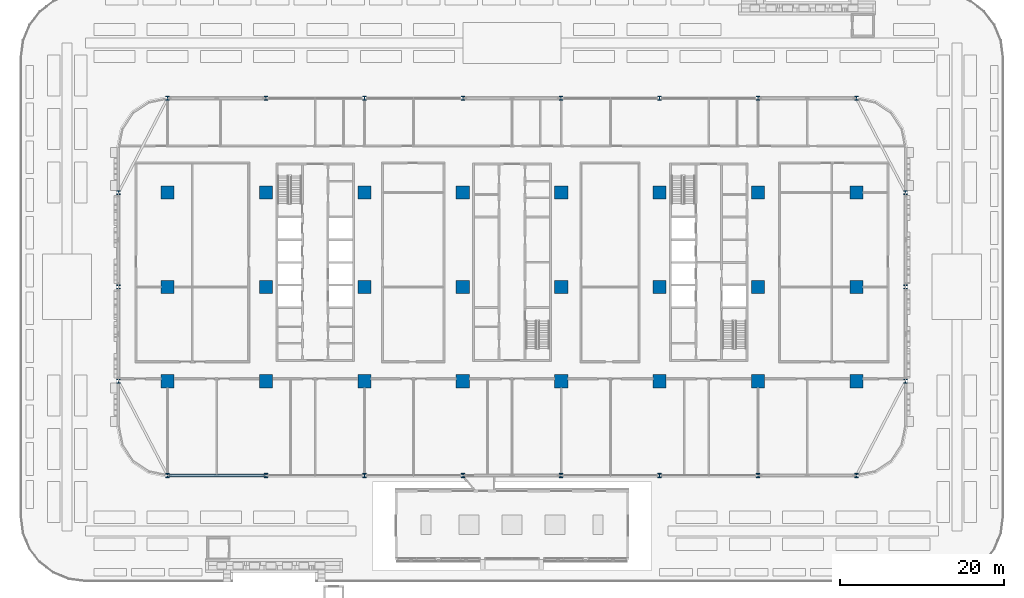
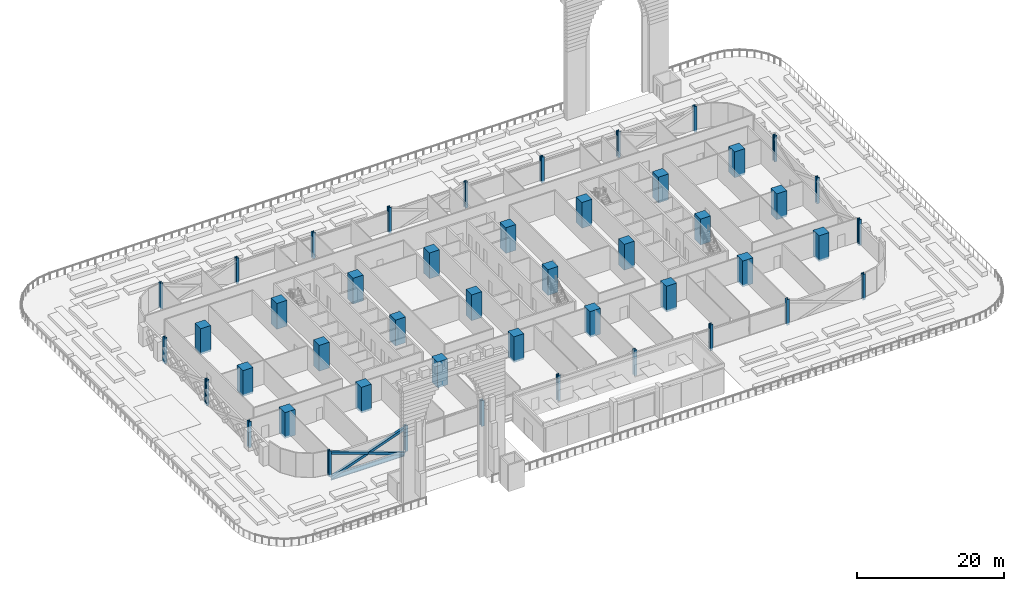
# One storey, part 1 of 39: 46 columns, 3 members, 1 beam.
"""IFC4 building model written with IfcOpenShell, lengths in metres."""

from ifc_helpers import new_model, si_unit, direction, frame, origin, origin_2d, place, context, subcontext, project, spatial, rectangle, hollow_rectangle, i_section, extrude, material, material_profile, profile_set, type_object, element, save


model = new_model("IFC4")

# Units and contexts
model_context = context("Model", 3, precision=1e-05, world=origin(), true_north=direction((0.0, 1.0)))
body_context = subcontext(model_context, "Body", "Model", "MODEL_VIEW")
ifc_project = project(units=[si_unit("LENGTHUNIT", "METRE"), si_unit("AREAUNIT", "SQUARE_METRE"), si_unit("VOLUMEUNIT", "CUBIC_METRE"), si_unit("PLANEANGLEUNIT", "RADIAN"), si_unit("MASSUNIT", "GRAM", prefix="KILO")], contexts=[model_context])

# Site, building, storey
site_placement = place(None, origin())
site = spatial("IfcSite", under=ifc_project, at=site_placement, CompositionType="ELEMENT")
building_placement = place(site_placement, origin())
building = spatial("IfcBuilding", under=site, at=building_placement, Name="Mahtab Terrace Research Tower", CompositionType="ELEMENT")
storey_placement = place(building_placement, frame((0.0, 0.0, 7.199951171875)))
storey = spatial("IfcBuildingStorey", under=building, at=storey_placement, Name="L01", CompositionType="ELEMENT", Elevation=7.199951171875)

# Columns
ifc_material_1 = material(Name="Concrete C70/85", Category="concrete")
ifc_material_profile_1 = material_profile(ifc_material_1, rectangle(XDim=1.60009765625, YDim=1.60009765625, at=origin_2d()), Name="RC column 1600x1600")
ifc_profile_set_1 = profile_set([ifc_material_profile_1], Name="Concrete C70/85")
column_type_1 = type_object("IfcColumnType", Name="RC column 1600x1600", PredefinedType="COLUMN", material=ifc_profile_set_1)
for number, where, z_axis, x_axis, name in (
    (1, (-42.0, -11.5, -0.33984375), (0.0, 0.0, 1.0), (1.0, 0.0, 0.0), "Column RC-1A L01"),
    (2, (-42.0, 0.0, -0.33984375), (0.0, 0.0, 1.0), (1.0, 0.0, 0.0), "Column RC-1B L01"),
    (3, (-42.0, 11.5, -0.33984375), (0.0, 0.0, 1.0), (1.0, 0.0, 0.0), "Column RC-1C L01"),
    (4, (-30.0, -11.5, -0.33984375), (0.0, 0.0, 1.0), (1.0, 0.0, 0.0), "Column RC-2A L01"),
    (5, (-30.0, 0.0, -0.33984375), (0.0, 0.0, 1.0), (1.0, 0.0, 0.0), "Column RC-2B L01"),
    (6, (-30.0, 11.5, -0.33984375), (0.0, 0.0, 1.0), (1.0, 0.0, 0.0), "Column RC-2C L01"),
    (7, (-18.0, -11.5, -0.33984375), (0.0, 0.0, 1.0), (1.0, 0.0, 0.0), "Column RC-3A L01"),
    (8, (-18.0, 0.0, -0.33984375), (0.0, 0.0, 1.0), (1.0, 0.0, 0.0), "Column RC-3B L01"),
    (9, (-18.0, 11.5, -0.33984375), (0.0, 0.0, 1.0), (1.0, 0.0, 0.0), "Column RC-3C L01"),
    (10, (-6.0, -11.5, -0.33984375), (0.0, 0.0, 1.0), (1.0, 0.0, 0.0), "Column RC-4A L01"),
    (11, (-6.0, 0.0, -0.33984375), (0.0, 0.0, 1.0), (1.0, 0.0, 0.0), "Column RC-4B L01"),
    (12, (-6.0, 11.5, -0.33984375), (0.0, 0.0, 1.0), (1.0, 0.0, 0.0), "Column RC-4C L01"),
    (13, (6.0, -11.5, -0.33984375), (0.0, 0.0, 1.0), (1.0, 0.0, 0.0), "Column RC-5A L01"),
    (14, (6.0, 0.0, -0.33984375), (0.0, 0.0, 1.0), (1.0, 0.0, 0.0), "Column RC-5B L01"),
    (15, (6.0, 11.5, -0.33984375), (0.0, 0.0, 1.0), (1.0, 0.0, 0.0), "Column RC-5C L01"),
    (16, (18.0, -11.5, -0.33984375), (0.0, 0.0, 1.0), (1.0, 0.0, 0.0), "Column RC-6A L01"),
    (17, (18.0, 0.0, -0.33984375), (0.0, 0.0, 1.0), (1.0, 0.0, 0.0), "Column RC-6B L01"),
    (18, (18.0, 11.5, -0.33984375), (0.0, 0.0, 1.0), (1.0, 0.0, 0.0), "Column RC-6C L01"),
    (19, (30.0, -11.5, -0.33984375), (0.0, 0.0, 1.0), (1.0, 0.0, 0.0), "Column RC-7A L01"),
    (20, (30.0, 0.0, -0.33984375), (0.0, 0.0, 1.0), (1.0, 0.0, 0.0), "Column RC-7B L01"),
    (21, (30.0, 11.5, -0.33984375), (0.0, 0.0, 1.0), (1.0, 0.0, 0.0), "Column RC-7C L01"),
    (22, (42.0, -11.5, -0.33984375), (0.0, 0.0, 1.0), (1.0, 0.0, 0.0), "Column RC-8A L01"),
    (23, (42.0, 0.0, -0.33984375), (0.0, 0.0, 1.0), (1.0, 0.0, 0.0), "Column RC-8B L01"),
    (24, (42.0, 11.5, -0.33984375), (0.0, 0.0, 1.0), (1.0, 0.0, 0.0), "Column RC-8C L01"),
):
    element("IfcColumn", number, at=place(storey_placement, frame(where, z_axis=z_axis, x_axis=x_axis)), inside=storey, type_object=column_type_1, Name=name, PredefinedType="COLUMN", context=body_context, shape_type="SweptSolid", body=[
        extrude(rectangle(XDim=1.60009765625, YDim=1.60009765625, at=origin_2d()), origin(), (0.0, 0.0, 1.0), 4.2998046875),
    ])
ifc_material_2 = material(Name="Steel ASTM A992 Gr 50", Category="steel")
ifc_material_profile_2 = material_profile(ifc_material_2, i_section(OverallWidth=0.431884765625, OverallDepth=0.497802734375, WebThickness=0.0556640625, FlangeThickness=0.0888671875, at=origin_2d()), Name="W14X500")
ifc_profile_set_2 = profile_set([ifc_material_profile_2], Name="Steel ASTM A992 Gr 50")
column_type_2 = type_object("IfcColumnType", Name="W14x500 column CS14500", PredefinedType="COLUMN", material=ifc_profile_set_2)
for number, where, z_axis, x_axis, name in (
    (25, (42.0, 23.0, -0.33984375), (0.0, 0.0, 1.0), (1.0, 0.0, 0.0), "Column SC-001 L01"),
    (26, (30.0, 23.0, -0.33984375), (0.0, 0.0, 1.0), (1.0, 0.0, 0.0), "Column SC-002 L01"),
    (27, (18.0, 23.0, -0.33984375), (0.0, 0.0, 1.0), (1.0, 0.0, 0.0), "Column SC-003 L01"),
    (28, (6.0, 23.0, -0.33984375), (0.0, 0.0, 1.0), (1.0, 0.0, 0.0), "Column SC-004 L01"),
    (29, (-6.0, 23.0, -0.33984375), (0.0, 0.0, 1.0), (1.0, 0.0, 0.0), "Column SC-005 L01"),
    (30, (-18.0, 23.0, -0.33984375), (0.0, 0.0, 1.0), (1.0, 0.0, 0.0), "Column SC-006 L01"),
    (31, (-30.0, 23.0, -0.33984375), (0.0, 0.0, 1.0), (1.0, 0.0, 0.0), "Column SC-007 L01"),
    (32, (-42.0, 23.0, -0.33984375), (0.0, 0.0, 1.0), (1.0, 0.0, 0.0), "Column SC-008 L01"),
    (33, (-48.0, 11.5, -0.33984375), (0.0, 0.0, 1.0), (1.0, 0.0, 0.0), "Column SC-009 L01"),
    (34, (-48.0, 0.0, -0.33984375), (0.0, 0.0, 1.0), (1.0, 0.0, 0.0), "Column SC-010 L01"),
    (35, (-48.0, -11.5, -0.33984375), (0.0, 0.0, 1.0), (1.0, 0.0, 0.0), "Column SC-011 L01"),
    (36, (-42.0, -23.0, -0.33984375), (0.0, 0.0, 1.0), (1.0, 0.0, 0.0), "Column SC-012 L01"),
    (37, (-30.0, -23.0, -0.33984375), (0.0, 0.0, 1.0), (1.0, 0.0, 0.0), "Column SC-013 L01"),
    (38, (-18.0, -23.0, -0.33984375), (0.0, 0.0, 1.0), (1.0, 0.0, 0.0), "Column SC-014 L01"),
    (39, (-6.0, -23.0, -0.33984375), (0.0, 0.0, 1.0), (1.0, 0.0, 0.0), "Column SC-015 L01"),
    (40, (6.0, -23.0, -0.33984375), (0.0, 0.0, 1.0), (1.0, 0.0, 0.0), "Column SC-016 L01"),
    (41, (18.0, -23.0, -0.33984375), (0.0, 0.0, 1.0), (1.0, 0.0, 0.0), "Column SC-017 L01"),
    (42, (30.0, -23.0, -0.33984375), (0.0, 0.0, 1.0), (1.0, 0.0, 0.0), "Column SC-018 L01"),
    (43, (42.0, -23.0, -0.33984375), (0.0, 0.0, 1.0), (1.0, 0.0, 0.0), "Column SC-019 L01"),
    (44, (48.0, -11.5, -0.33984375), (0.0, 0.0, 1.0), (1.0, 0.0, 0.0), "Column SC-020 L01"),
    (45, (48.0, 0.0, -0.33984375), (0.0, 0.0, 1.0), (1.0, 0.0, 0.0), "Column SC-021 L01"),
    (46, (48.0, 11.5, -0.33984375), (0.0, 0.0, 1.0), (1.0, 0.0, 0.0), "Column SC-022 L01"),
):
    element("IfcColumn", number, at=place(storey_placement, frame(where, z_axis=z_axis, x_axis=x_axis)), inside=storey, type_object=column_type_2, Name=name, PredefinedType="COLUMN", context=body_context, shape_type="SweptSolid", body=[
        extrude(i_section(OverallWidth=0.431884765625, OverallDepth=0.497802734375, WebThickness=0.0556640625, FlangeThickness=0.0888671875, at=origin_2d()), origin(), (0.0, 0.0, 1.0), 4.2998046875),
    ])

# Members
ifc_material_3 = material(Name="Steel ASTM A500 Gr C", Category="steel")
ifc_material_profile_3 = material_profile(ifc_material_3, hollow_rectangle(XDim=0.406494140625, YDim=0.406494140625, WallThickness=0.01904296875, at=origin_2d()), Name="HSS16X16X3/4")
ifc_profile_set_3 = profile_set([ifc_material_profile_3], Name="Steel ASTM A500 Gr C")
member_type = type_object("IfcMemberType", Name="HSS 16x16x3/4 brace XB161634", PredefinedType="BRACE", material=ifc_profile_set_3)
member_placement = place(storey_placement, frame((-41.7841796875, -23.0, -0.64111328125), z_axis=(0.941388097231, 0.0, 0.337325436917), x_axis=(0.0, 1.0, 0.0)))
element("IfcMember", 47, at=member_placement, inside=storey, type_object=member_type, Name="Exoskeleton brace L01 12 a", PredefinedType="BRACE", context=body_context, shape_type="SweptSolid", body=[
    extrude(hollow_rectangle(XDim=0.406494140625, YDim=0.406494140625, WallThickness=0.01904296875, at=origin_2d()), origin(), (0.0, 0.0, 1.0), 12.28857421875),
])
for number, where, z_axis, x_axis, name in (
    (48, (-30.2158203125, -23.0, -0.64111328125), (-0.941381788192, 0.0, 0.337343043295), (0.0, -1.0, 0.0), "Exoskeleton brace L01 12 b1"),
    (49, (-36.0, -23.0, 1.431640625), (-0.941394406025, 0.0, 0.337307830185), (0.0, -1.0, 0.0), "Exoskeleton brace L01 12 b2"),
):
    element("IfcMember", number, at=place(storey_placement, frame(where, z_axis=z_axis, x_axis=x_axis)), inside=storey, type_object=member_type, Name=name, PredefinedType="BRACE", context=body_context, shape_type="SweptSolid", body=[
        extrude(hollow_rectangle(XDim=0.406494140625, YDim=0.406494140625, WallThickness=0.01904296875, at=origin_2d()), origin(), (0.0, 0.0, 1.0), 6.144287109375),
    ])

# Beam
ifc_material_profile_4 = material_profile(ifc_material_2, i_section(OverallWidth=0.2666015625, OverallDepth=0.7568359375, WebThickness=0.013916015625, FlangeThickness=0.019287109375, at=origin_2d()), Name="W30X108")
ifc_profile_set_4 = profile_set([ifc_material_profile_4], Name="Steel ASTM A992 Gr 50")
beam_type = type_object("IfcBeamType", Name="W30x108 beam BS30108", PredefinedType="BEAM", material=ifc_profile_set_4)
beam_placement = place(storey_placement, frame((-41.7841796875, -23.0, -0.718505859375), z_axis=(1.0, 0.0, 0.0), x_axis=(0.0, 1.0, 0.0)))
element("IfcBeam", 50, at=beam_placement, inside=storey, type_object=beam_type, Name="Spandrel beam L01 12", PredefinedType="BEAM", context=body_context, shape_type="SweptSolid", body=[
    extrude(i_section(OverallWidth=0.2666015625, OverallDepth=0.7568359375, WebThickness=0.013916015625, FlangeThickness=0.019287109375, at=origin_2d()), origin(), (0.0, 0.0, 1.0), 11.568359375),
])

save(model, "model.ifc")
